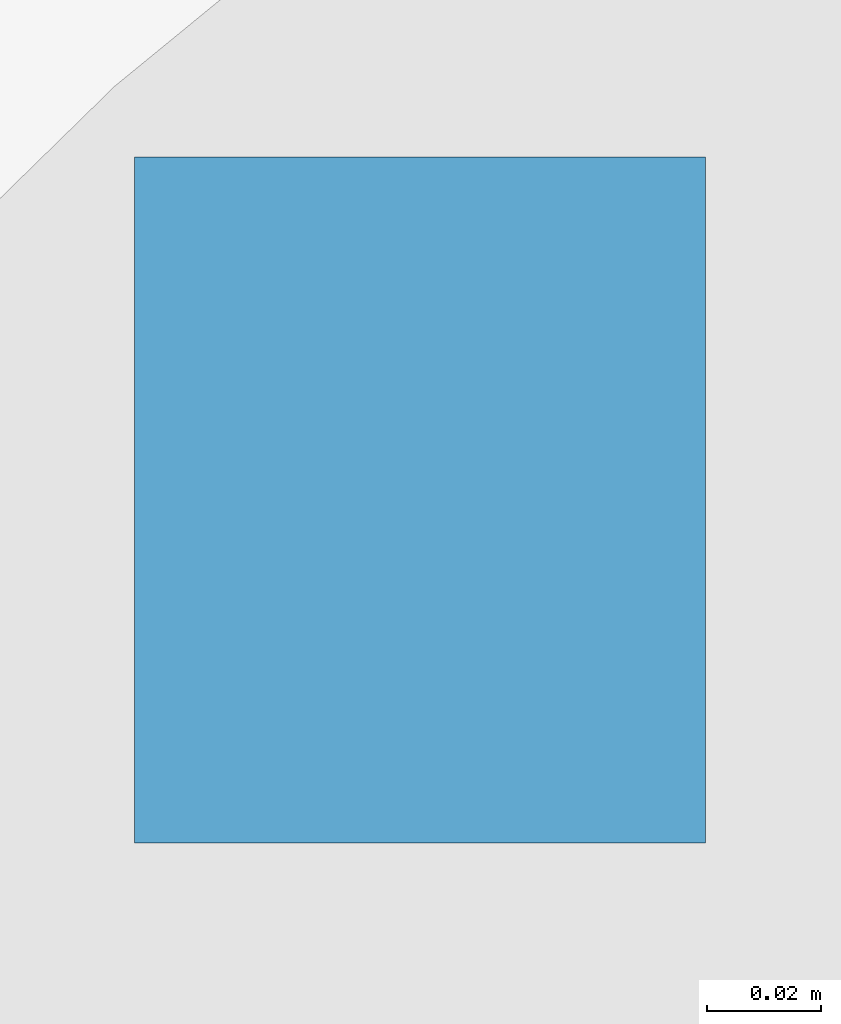
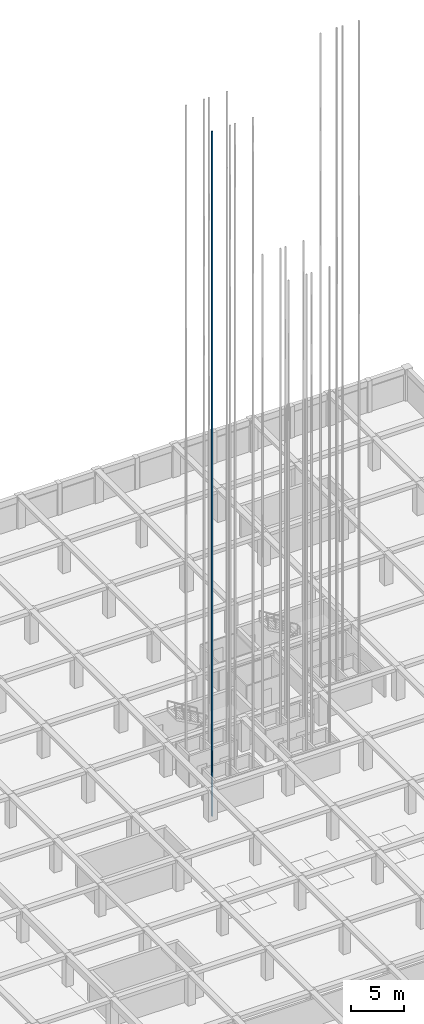
# One storey, part 25 of 47: 1 discrete accessory.
"""IFC4 building model written with IfcOpenShell, lengths in metres."""

import ifcopenshell
import ifcopenshell.guid

model = None  # the IFC model being written
_history = None  # IfcOwnerHistory: only IFC2X3 demands one
_inside = {}  # id of a spatial element -> (the spatial element, [elements in it])
_under = {}  # id of a project, library or spatial element -> (it, [spatial elements below it])
_declared = {}  # id of a project -> (the project, [libraries it declares])
_typed = {}  # id of a type object -> (the type object, [elements of that type])
_made_of = {}  # id of a material, layer set ... -> (it, [elements and type objects made of it])


def new_model(schema):
    """Start an empty IFC model of exactly this schema.

    Asked for "IFC4X3", IfcOpenShell would pick the latest addendum, in which some entities
    have other attributes; the version numbers below select the first issue.
    IFC2X3 requires an IfcOwnerHistory on every rooted entity: one is made here for all.
    """
    global model, _history
    if schema == "IFC4X3":
        model = ifcopenshell.file(schema_version=(4, 3, 0, 0))
    else:
        model = ifcopenshell.file(schema=schema)
    _inside.clear()
    _under.clear()
    _declared.clear()
    _typed.clear()
    _made_of.clear()
    _history = None
    if model.schema == "IFC2X3":
        org = make("IfcOrganization", Name="unknown")
        user = make(
            "IfcPersonAndOrganization",
            ThePerson=make("IfcPerson", FamilyName="unknown"),
            TheOrganization=org,
        )
        app = make(
            "IfcApplication",
            ApplicationDeveloper=org,
            Version="unknown",
            ApplicationFullName="unknown",
            ApplicationIdentifier="unknown",
        )
        _history = make(
            "IfcOwnerHistory",
            OwningUser=user,
            OwningApplication=app,
            ChangeAction="ADDED",
            CreationDate=0,
        )
    return model


def make(cls, **values):
    """One entity of the class cls with the attributes given. An attribute that is None is left unset."""
    return model.create_entity(
        cls, **{name: value for name, value in values.items() if value is not None}
    )


def rooted(cls, **values):
    """An entity with a GlobalId (a new one), such as an element, a storey or a relation."""
    return make(cls, GlobalId=ifcopenshell.guid.new(), OwnerHistory=_history, **values)


def si_unit(unit_type, name, prefix=None):
    """IfcSIUnit, for example si_unit("LENGTHUNIT", "METRE", prefix="MILLI")."""
    return make("IfcSIUnit", UnitType=unit_type, Prefix=prefix, Name=name)


def assignment(units):
    """IfcUnitAssignment: the units of a project."""
    return None if units is None else make("IfcUnitAssignment", Units=units)


def point(xyz):
    """IfcCartesianPoint."""
    return None if xyz is None else make("IfcCartesianPoint", Coordinates=xyz)


def direction(xyz):
    """IfcDirection."""
    return None if xyz is None else make("IfcDirection", DirectionRatios=xyz)


def frame(location, z_axis=None, x_axis=None):
    """IfcAxis2Placement3D, a coordinate frame: its origin and axes. An axis left out is left unset."""
    return make(
        "IfcAxis2Placement3D",
        Location=point(location),
        Axis=direction(z_axis),
        RefDirection=direction(x_axis),
    )


def frame_2d(location, x_axis=None):
    """IfcAxis2Placement2D, a coordinate frame in the plane: its origin and x axis."""
    return make(
        "IfcAxis2Placement2D", Location=point(location), RefDirection=direction(x_axis)
    )


def origin():
    """The frame at (0, 0, 0) with its axes left unset."""
    return frame((0.0, 0.0, 0.0))


def origin_2d():
    """The frame at (0, 0) in the plane with its x axis left unset."""
    return frame_2d((0.0, 0.0))


def place(relative_to, where):
    """IfcLocalPlacement: puts the frame where relative to a parent placement (None: the world)."""
    return make(
        "IfcLocalPlacement", PlacementRelTo=relative_to, RelativePlacement=where
    )


def context(
    kind, dimensions, precision=None, world=None, true_north=None, identifier=None
):
    """IfcGeometricRepresentationContext, for example the 3D "Model" context."""
    return make(
        "IfcGeometricRepresentationContext",
        ContextIdentifier=identifier,
        ContextType=kind,
        CoordinateSpaceDimension=dimensions,
        Precision=precision,
        WorldCoordinateSystem=world,
        TrueNorth=true_north,
    )


def subcontext(parent, identifier, kind, view, scale=None):
    """IfcGeometricRepresentationSubContext, for example "Body" below "Model"."""
    return make(
        "IfcGeometricRepresentationSubContext",
        ContextIdentifier=identifier,
        ContextType=kind,
        ParentContext=parent,
        TargetScale=scale,
        TargetView=view,
    )


def project(units=None, contexts=None):
    """IfcProject with its units and contexts."""
    return rooted(
        "IfcProject",
        Name="project",
        RepresentationContexts=contexts,
        UnitsInContext=assignment(units),
    )


def spatial(cls, under=None, at=None, **own):
    """A site, building, storey or space (cls), placed at a placement, below another one or the project."""
    s = rooted(cls, ObjectPlacement=at, **own)
    if under is not None:
        _under.setdefault(under.id(), (under, []))[1].append(s)
    return s


def profile(cls, at=None, kind="AREA", **sizes):
    """A parametric profile (cls). Its sizes go by their IFC names, for example OverallWidth=200.0."""
    return make(cls, ProfileType=kind, Position=at, **sizes)


def rectangle(**sizes):
    """IfcRectangleProfileDef."""
    return profile("IfcRectangleProfileDef", **sizes)


def extrude(swept, where, along, depth):
    """IfcExtrudedAreaSolid: the profile swept, set in the frame where, extruded along a direction by depth."""
    return make(
        "IfcExtrudedAreaSolid",
        SweptArea=swept,
        Position=where,
        ExtrudedDirection=direction(along),
        Depth=depth,
    )


def shape(context_of_items, identifier, shape_type, items):
    """IfcShapeRepresentation: the items that make up one representation, for example the "Body"."""
    return make(
        "IfcShapeRepresentation",
        ContextOfItems=context_of_items,
        RepresentationIdentifier=identifier,
        RepresentationType=shape_type,
        Items=items,
    )


def material(Name=None, Category=None):
    """IfcMaterial."""
    return make("IfcMaterial", Name=Name, Category=Category)


def layer(
    of_material, thickness, ventilated=None, Name=None, Category=None, Priority=None
):
    """IfcMaterialLayer: one layer of a wall or slab, of a material (None: an air gap)."""
    return make(
        "IfcMaterialLayer",
        Material=of_material,
        LayerThickness=thickness,
        IsVentilated=ventilated,
        Name=Name,
        Category=Category,
        Priority=Priority,
    )


def layer_set(layers, Name=None):
    """IfcMaterialLayerSet."""
    return make("IfcMaterialLayerSet", MaterialLayers=layers, LayerSetName=Name)


def made_of(thing, what):
    """Note that an element or type object is made of a material, layer set ...; save() writes the relation."""
    if what is not None:
        _made_of.setdefault(what.id(), (what, []))[1].append(thing)
    return thing


def type_object(cls, material=None, **own):
    """A type object (cls), such as IfcWallType, which elements share."""
    return made_of(rooted(cls, **own), material)


def element(
    cls,
    number,
    at=None,
    inside=None,
    cuts=None,
    type_object=None,
    material=None,
    context=None,
    identifier="Body",
    shape_type=None,
    held_by="IfcProductDefinitionShape",
    body=None,
    shapes=None,
    **own,
):
    """One element of the class cls, such as IfcWall. Its Tag is "e" and its number.

    at: its placement. inside: the storey or other place that contains it. cuts: it is an
    opening in that element (IfcRelVoidsElement). A single representation is given by context,
    identifier, shape_type and body (its items); several are given by shapes. held_by: the class
    of the entity that holds the representations. save() writes the other relations.
    """
    e = rooted(cls, Tag="e%d" % number, ObjectPlacement=at, **own)
    if body is not None:
        shapes = [shape(context, identifier, shape_type, body)]
    if shapes is not None:
        e.Representation = make(held_by, Representations=shapes)
    if inside is not None:
        _inside.setdefault(inside.id(), (inside, []))[1].append(e)
    if cuts is not None:
        rooted(
            "IfcRelVoidsElement", RelatingBuildingElement=cuts, RelatedOpeningElement=e
        )
    if type_object is not None:
        _typed.setdefault(type_object.id(), (type_object, []))[1].append(e)
    return made_of(e, material)


def aggregate(whole, parts):
    """IfcRelAggregates: a whole, such as a stair, and the parts it consists of."""
    return rooted("IfcRelAggregates", RelatingObject=whole, RelatedObjects=parts)


def save(model, path):
    """Write the relations noted so far, then the file.

    IfcRelAggregates (storeys below a building ...), IfcRelContainedInSpatialStructure (elements
    in a storey), IfcRelDefinesByType, IfcRelAssociatesMaterial and IfcRelDeclares: one each for
    every whole, place, type object, material and project.
    """
    for whole, parts in _under.values():
        aggregate(whole, parts)
    for where, things in _inside.values():
        rooted(
            "IfcRelContainedInSpatialStructure",
            RelatedElements=things,
            RelatingStructure=where,
        )
    for kind, things in _typed.values():
        rooted("IfcRelDefinesByType", RelatedObjects=things, RelatingType=kind)
    for what, things in _made_of.values():
        rooted("IfcRelAssociatesMaterial", RelatedObjects=things, RelatingMaterial=what)
    for by, libraries in _declared.values():
        rooted("IfcRelDeclares", RelatingContext=by, RelatedDefinitions=libraries)
    model.write(path)


model = new_model("IFC4")

# Units and contexts
model_context = context("Model", 3, precision=1e-05, world=origin(), true_north=direction((0.0, 1.0)))
body_context = subcontext(model_context, "Body", "Model", "MODEL_VIEW")
ifc_project = project(units=[si_unit("LENGTHUNIT", "METRE"), si_unit("AREAUNIT", "SQUARE_METRE"), si_unit("VOLUMEUNIT", "CUBIC_METRE"), si_unit("PLANEANGLEUNIT", "RADIAN"), si_unit("MASSUNIT", "GRAM", prefix="KILO")], contexts=[model_context])

# Site, building, storey
site_placement = place(None, origin())
site = spatial("IfcSite", under=ifc_project, at=site_placement, CompositionType="ELEMENT")
building_placement = place(site_placement, origin())
building = spatial("IfcBuilding", under=site, at=building_placement, Name="Almacenes y Pasaje Nevantli", CompositionType="ELEMENT")
storey_placement = place(building_placement, frame((0.0, 0.0, -8.10009765625)))
storey = spatial("IfcBuildingStorey", under=building, at=storey_placement, Name="B02", CompositionType="ELEMENT", Elevation=-8.10009765625)

# Discrete accessory
ifc_material = material(Name="Steel ASTM A36", Category="steel")
ifc_layer = layer(ifc_material, 0.1201171875)
ifc_layer_set = layer_set([ifc_layer], Name="Steel ASTM A36")
discrete_accessory_type = type_object("IfcDiscreteAccessoryType", Name="ACC-LIFT-RAIL", PredefinedType="BRACKET", material=ifc_layer_set)
discrete_accessory_placement = place(storey_placement, frame((118.77001953125, 68.949951171875, -1.199951171875), z_axis=(0.0, 0.0, 1.0), x_axis=(1.0, 0.0, 0.0)))
element("IfcDiscreteAccessory", 1, at=discrete_accessory_placement, inside=storey, type_object=discrete_accessory_type, Name="Elevator Steel T-Section Guide Rail ELV-P05-W", PredefinedType="BRACKET", context=body_context, shape_type="SweptSolid", body=[
    extrude(rectangle(XDim=0.10009765625, YDim=0.1201171875, at=origin_2d()), origin(), (0.0, 0.0, 1.0), 78.5),
])

save(model, "model.ifc")
